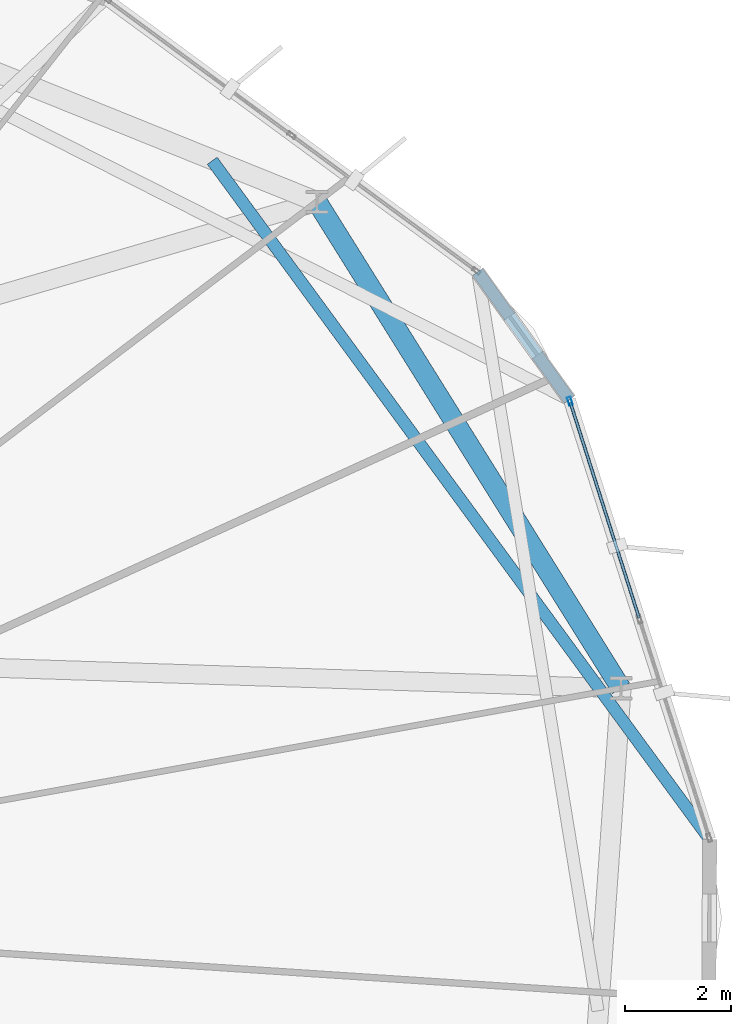
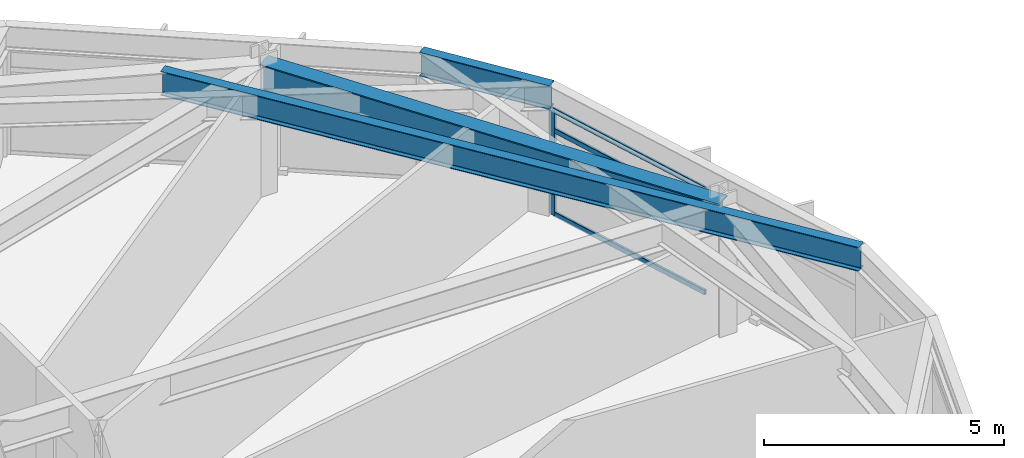
# One storey, part 11 of 24: 4 members, 3 beams, 1 element without a shape of its own.
"""IFC4 building model written with IfcOpenShell, lengths in metres."""

from ifc_helpers import new_model, si_unit, direction, frame, origin, origin_2d, place, context, subcontext, project, spatial, hollow_rectangle, i_section, extrude, material, layer, layer_set, material_profile, profile_set, type_object, element, aggregate, save


model = new_model("IFC4")

# Units and contexts
model_context = context("Model", 3, precision=1e-05, world=origin(), true_north=direction((0.0, 1.0)))
body_context = subcontext(model_context, "Body", "Model", "MODEL_VIEW")
ifc_project = project(units=[si_unit("LENGTHUNIT", "METRE"), si_unit("AREAUNIT", "SQUARE_METRE"), si_unit("VOLUMEUNIT", "CUBIC_METRE"), si_unit("PLANEANGLEUNIT", "RADIAN"), si_unit("MASSUNIT", "GRAM", prefix="KILO")], contexts=[model_context])

# Site, building, storey
site_placement = place(None, origin())
site = spatial("IfcSite", under=ifc_project, at=site_placement, CompositionType="ELEMENT")
building_placement = place(site_placement, origin())
building = spatial("IfcBuilding", under=site, at=building_placement, Name="Soratama Intermodal Tower", CompositionType="ELEMENT")
storey_placement = place(building_placement, frame((0.0, 0.0, 164.199951171875)))
storey = spatial("IfcBuildingStorey", under=building, at=storey_placement, Name="L40", CompositionType="ELEMENT", Elevation=164.199951171875)

# Beams
ifc_material_1 = material(Name="Structural steel ASTM A992 Grade 50", Category="steel")
ifc_material_profile_1 = material_profile(ifc_material_1, i_section(OverallWidth=0.382080078125, OverallDepth=0.779052734375, WebThickness=0.01806640625, FlangeThickness=0.030029296875, FilletRadius=0.01806640625, at=origin_2d()), Name="W30X191")
ifc_profile_set_1 = profile_set([ifc_material_profile_1], Name="Structural steel ASTM A992 Grade 50")
beam_type_1 = type_object("IfcBeamType", Name="BM-RING-W30X191", PredefinedType="BEAM", material=ifc_profile_set_1)
beam_1_placement = place(storey_placement, frame((61.97998046875, 29.23388671875, 2.91064453125), z_axis=(-0.529891394359, 0.84806551055, 0.0), x_axis=(-0.84806551055, -0.529891394359, 0.0)))
element("IfcBeam", 1, at=beam_1_placement, inside=storey, type_object=beam_type_1, Name="BM-L40-RING-01", PredefinedType="BEAM", context=body_context, shape_type="SweptSolid", body=[
    extrude(i_section(OverallWidth=0.382080078125, OverallDepth=0.779052734375, WebThickness=0.01806640625, FlangeThickness=0.030029296875, FilletRadius=0.01806640625, at=origin_2d()), origin(), (0.0, 0.0, 1.0), 10.8154296875),
])
ifc_material_2 = material(Name="Structural steel ASTM A992 Grade 50", Category="steel")
ifc_material_profile_2 = material_profile(ifc_material_2, i_section(OverallWidth=0.22900390625, OverallDepth=0.612060546875, WebThickness=0.011962890625, FlangeThickness=0.01953125, FilletRadius=0.012939453125, at=origin_2d()), Name="W24X84")
ifc_profile_set_2 = profile_set([ifc_material_profile_2], Name="Structural steel ASTM A992 Grade 50")
beam_type_2 = type_object("IfcBeamType", Name="BM-SPN-W24X84", PredefinedType="SPANDREL", material=ifc_profile_set_2)
beam_2_placement = place(storey_placement, frame((61.008056640625, 34.676025390625, 2.994140625), z_axis=(-0.583376616721, 0.812201774846, 0.0), x_axis=(-0.812201774846, -0.583376616721, 0.0)))
element("IfcBeam", 2, at=beam_2_placement, inside=storey, type_object=beam_type_2, Name="BS-L40-CRN10", PredefinedType="SPANDREL", context=body_context, shape_type="SweptSolid", body=[
    extrude(i_section(OverallWidth=0.22900390625, OverallDepth=0.612060546875, WebThickness=0.011962890625, FlangeThickness=0.01953125, FilletRadius=0.012939453125, at=origin_2d()), origin(), (0.0, 0.0, 1.0), 2.967041015625),
])
ifc_material_3 = material(Name="Structural steel ASTM A992 Grade 50", Category="steel")
ifc_material_profile_3 = material_profile(ifc_material_3, i_section(OverallWidth=0.22900390625, OverallDepth=0.612060546875, WebThickness=0.011962890625, FlangeThickness=0.01953125, FilletRadius=0.012939453125, at=origin_2d()), Name="W24X84")
ifc_profile_set_3 = profile_set([ifc_material_profile_3], Name="Structural steel ASTM A992 Grade 50")
beam_type_3 = type_object("IfcBeamType", Name="BM-TIE-W24X84", PredefinedType="BEAM", material=ifc_profile_set_3)
beam_3_placement = place(storey_placement, frame((54.27197265625, 39.181884765625, 2.994140625), z_axis=(0.591298957159, -0.806452443274, 0.0), x_axis=(0.806452443274, 0.591298957159, 0.0)))
element("IfcBeam", 3, at=beam_3_placement, inside=storey, type_object=beam_type_3, Name="BM-L40-TIE0-10", PredefinedType="BEAM", context=body_context, shape_type="SweptSolid", body=[
    extrude(i_section(OverallWidth=0.22900390625, OverallDepth=0.612060546875, WebThickness=0.011962890625, FlangeThickness=0.01953125, FilletRadius=0.012939453125, at=origin_2d()), origin(), (0.0, 0.0, 1.0), 15.866943359375),
])

# Curtain wall, members
ifc_material_4 = material(Name="Double-glazed aluminium curtain wall", Category="aluminium")
ifc_layer = layer(ifc_material_4, 0.159912109375)
ifc_layer_set = layer_set([ifc_layer], Name="Double-glazed aluminium curtain wall")
curtain_wall_type = type_object("IfcCurtainWallType", Name="CW-SYS-4", PredefinedType="NOTDEFINED", material=ifc_layer_set)
curtain_wall_placement = place(storey_placement, origin())
curtain_wall = element("IfcCurtainWall", 4, at=curtain_wall_placement, inside=storey, type_object=curtain_wall_type, Name="L40 Faceted Curtain Wall F10", PredefinedType="NOTDEFINED")
ifc_material_5 = material(Name="Anodised aluminium AA 6063-T6", Category="aluminium")
ifc_material_profile_4 = material_profile(ifc_material_5, hollow_rectangle(XDim=0.070068359375, YDim=0.159912109375, WallThickness=0.0048828125, InnerFilletRadius=0.0048828125, OuterFilletRadius=0.010009765625, at=origin_2d()), Name="CWM160X70X5")
ifc_profile_set_4 = profile_set([ifc_material_profile_4], Name="Anodised aluminium AA 6063-T6")
member_type_1 = type_object("IfcMemberType", Name="MT-CWM-4", PredefinedType="MULLION", material=ifc_profile_set_4)
member_1_placement = place(storey_placement, frame((61.01708984375, 34.647705078125, 0.0), z_axis=(0.0, 0.0, 1.0), x_axis=(-0.952662539377, -0.304029745368, 0.0)))
member_1 = element("IfcMember", 5, at=member_1_placement, type_object=member_type_1, Name="CW-4 mullion 3", PredefinedType="MULLION", context=body_context, shape_type="SweptSolid", body=[
    extrude(hollow_rectangle(XDim=0.070068359375, YDim=0.159912109375, WallThickness=0.0048828125, InnerFilletRadius=0.0048828125, OuterFilletRadius=0.010009765625, at=origin_2d()), origin(), (0.0, 0.0, 1.0), 2.678955078125),
])
ifc_material_6 = material(Name="Anodised aluminium AA 6063-T6", Category="aluminium")
ifc_material_profile_5 = material_profile(ifc_material_6, hollow_rectangle(XDim=0.06005859375, YDim=0.1298828125, WallThickness=0.0048828125, InnerFilletRadius=0.0048828125, OuterFilletRadius=0.010009765625, at=origin_2d()), Name="CWT130X60X5")
ifc_profile_set_5 = profile_set([ifc_material_profile_5], Name="Anodised aluminium AA 6063-T6")
member_type_2 = type_object("IfcMemberType", Name="TT-CWT-2", PredefinedType="USERDEFINED", material=ifc_profile_set_5)
member_2_placement = place(storey_placement, frame((62.32177734375, 30.5595703125, 0.030029296875), z_axis=(-0.304050130488, 0.952656033493, 0.0), x_axis=(-0.952656033493, -0.304050130488, 0.0)))
member_2 = element("IfcMember", 6, at=member_2_placement, type_object=member_type_2, Name="CW-4 transom 2.1", ObjectType="TRANSOM", PredefinedType="USERDEFINED", context=body_context, shape_type="SweptSolid", body=[
    extrude(hollow_rectangle(XDim=0.06005859375, YDim=0.1298828125, WallThickness=0.0048828125, InnerFilletRadius=0.0048828125, OuterFilletRadius=0.010009765625, at=origin_2d()), origin(), (0.0, 0.0, 1.0), 4.26123046875),
])
member_3_placement = place(storey_placement, frame((62.32177734375, 30.5595703125, 2.150146484375), z_axis=(-0.304050130488, 0.952656033493, 0.0), x_axis=(-0.952656033493, -0.304050130488, 0.0)))
member_3 = element("IfcMember", 7, at=member_3_placement, type_object=member_type_2, Name="CW-4 transom 2.2", ObjectType="TRANSOM", PredefinedType="USERDEFINED", context=body_context, shape_type="SweptSolid", body=[
    extrude(hollow_rectangle(XDim=0.06005859375, YDim=0.1298828125, WallThickness=0.0048828125, InnerFilletRadius=0.0048828125, OuterFilletRadius=0.010009765625, at=origin_2d()), origin(), (0.0, 0.0, 1.0), 4.26123046875),
])
member_4_placement = place(storey_placement, frame((62.32177734375, 30.5595703125, 2.649169921875), z_axis=(-0.304050130488, 0.952656033493, 0.0), x_axis=(-0.952656033493, -0.304050130488, 0.0)))
member_4 = element("IfcMember", 8, at=member_4_placement, type_object=member_type_2, Name="CW-4 transom 2.3", ObjectType="TRANSOM", PredefinedType="USERDEFINED", context=body_context, shape_type="SweptSolid", body=[
    extrude(hollow_rectangle(XDim=0.06005859375, YDim=0.1298828125, WallThickness=0.0048828125, InnerFilletRadius=0.0048828125, OuterFilletRadius=0.010009765625, at=origin_2d()), origin(), (0.0, 0.0, 1.0), 4.26123046875),
])
aggregate(curtain_wall, [member_1, member_2, member_3, member_4])

save(model, "model.ifc")
